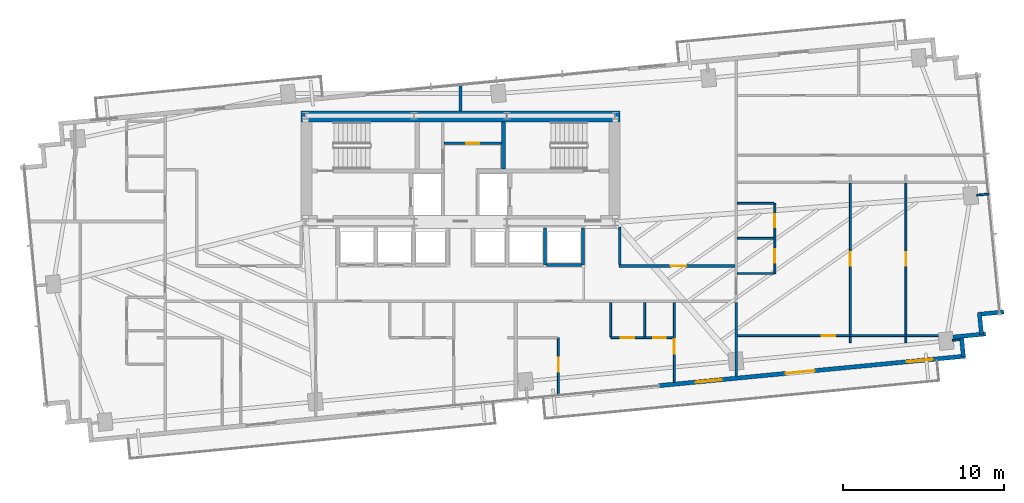
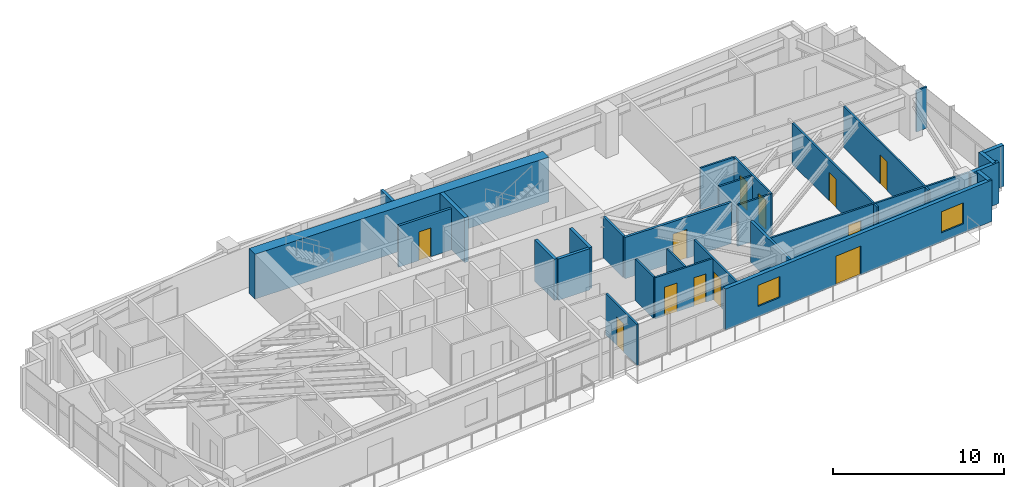
# One storey, part 23 of 27: 31 walls, 12 doors, 2 windows, 14 openings.
"""IFC4 building model written with IfcOpenShell, lengths in metres."""

from ifc_helpers import new_model, si_unit, direction, frame, frame_2d, origin, place, context, subcontext, project, spatial, rectangle, extrude, source, transform, mapped, material, layer, layer_set, type_object, type_shapes, element, fill, save


model = new_model("IFC4")

# Units and contexts
model_context = context("Model", 3, precision=1e-05, world=origin(), true_north=direction((0.0, 1.0)))
body_context = subcontext(model_context, "Body", "Model", "MODEL_VIEW")
ifc_project = project(units=[si_unit("LENGTHUNIT", "METRE"), si_unit("AREAUNIT", "SQUARE_METRE"), si_unit("VOLUMEUNIT", "CUBIC_METRE"), si_unit("PLANEANGLEUNIT", "RADIAN"), si_unit("MASSUNIT", "GRAM", prefix="KILO")], contexts=[model_context])

# Site, building, storey
site_placement = place(None, origin())
site = spatial("IfcSite", under=ifc_project, at=site_placement, CompositionType="ELEMENT")
building_placement = place(site_placement, origin())
building = spatial("IfcBuilding", under=site, at=building_placement, Name="Astriad Promenade Condominiums", CompositionType="ELEMENT")
storey_placement = place(building_placement, frame((0.0, 0.0, 90.60009765625)))
storey = spatial("IfcBuildingStorey", under=building, at=storey_placement, Name="L25", CompositionType="ELEMENT", Elevation=90.60009765625)

# Walls
ifc_material_1 = material(Name="Concrete C60/75", Category="concrete")
ifc_layer_1 = layer(ifc_material_1, 0.699951171875)
ifc_layer_set_1 = layer_set([ifc_layer_1], Name="Concrete C60/75")
wall_type_1 = type_object("IfcWallType", Name="CW-SHEAR-700", PredefinedType="SHEAR", material=ifc_layer_set_1)
wall_1_placement = place(storey_placement, frame((26.10009765625, 23.949951171875, 0.0), z_axis=(0.0, 0.0, 1.0), x_axis=(1.0, 0.0, 0.0)))
element("IfcWall", 1, at=wall_1_placement, inside=storey, type_object=wall_type_1, Name="CW-CORE-N-L25", PredefinedType="SHEAR", context=body_context, shape_type="SweptSolid", body=[
    extrude(rectangle(XDim=19.7998046875, YDim=0.699951171875, at=frame_2d((9.89990234375, 0.0))), origin(), (0.0, 0.0, 1.0), 3.199951171875),
])
ifc_material_2 = material(Name="Concrete C50/60", Category="concrete")
ifc_layer_2 = layer(ifc_material_2, 0.25)
ifc_layer_set_2 = layer_set([ifc_layer_2], Name="Concrete C50/60")
wall_type_2 = type_object("IfcWallType", Name="WALL-CORE-INT-250", PredefinedType="SOLIDWALL", material=ifc_layer_set_2)
wall_2_placement = place(storey_placement, frame((38.675048828125, 20.701904296875, 0.0), z_axis=(0.0, 0.0, 1.0), x_axis=(0.0, 1.0, 0.0)))
element("IfcWall", 2, at=wall_2_placement, inside=storey, type_object=wall_type_2, Name="CW-ST2-W-L25", PredefinedType="SOLIDWALL", context=body_context, shape_type="SweptSolid", body=[
    extrude(rectangle(XDim=2.89599609375, YDim=0.25, at=frame_2d((1.447998046875, 0.0))), origin(), (0.0, 0.0, 1.0), 3.199951171875),
])

# Wall, opening, door
ifc_material_3 = material(Name="Fire-Rated Gypsum Partition")
ifc_layer_3 = layer(ifc_material_3, 0.159912109375)
ifc_layer_set_3 = layer_set([ifc_layer_3], Name="Fire-Rated Gypsum Partition")
wall_type_3 = type_object("IfcWallType", Name="WALL-CORR-160", PredefinedType="PARTITIONING", material=ifc_layer_set_3)
wall_3_placement = place(storey_placement, frame((34.98193359375, 22.300048828125, 0.0), z_axis=(0.0, 0.0, 1.0), x_axis=(1.0, 0.0, 0.0)))
wall_3 = element("IfcWall", 3, at=wall_3_placement, inside=storey, type_object=wall_type_3, Name="CW-AUX-N-L25", PredefinedType="PARTITIONING", context=body_context, shape_type="SweptSolid", body=[
    extrude(rectangle(XDim=3.566162109375, YDim=0.159912109375, at=frame_2d((1.783203125, 0.0))), origin(), (0.0, 0.0, 1.0), 2.93994140625),
])
opening_1_placement = place(wall_3_placement, frame((1.3779296875, 0.0, 0.0)))
opening_1 = element("IfcOpeningElement", 4, at=opening_1_placement, cuts=wall_3, Name="Opening FD60-SV-080", PredefinedType="OPENING", context=body_context, shape_type="SweptSolid", body=[
    extrude(rectangle(XDim=0.800048828125, YDim=2.050048828125, at=frame_2d((0.39990234375, 1.02490234375))), frame((0.0, 0.08984375, 0.0), z_axis=(0.0, -1.0, 0.0), x_axis=(1.0, 0.0, 0.0)), (0.0, 0.0, 1.0), 0.179931640625),
])
ifc_material_4 = material(Name="Fire-Rated Riser Closet Door")
door_type_1 = type_object("IfcDoorType", Name="FD60-SV-080", OperationType="NOTDEFINED", PredefinedType="DOOR", material=ifc_material_4)
shared_shape_1 = source(origin(), body_context, "Body", "SweptSolid", [
    extrude(rectangle(XDim=0.800048828125, YDim=2.050048828125, at=frame_2d((0.39990234375, 1.02490234375))), frame((0.0, 0.02490234375, 0.0), z_axis=(0.0, -1.0, 0.0), x_axis=(1.0, 0.0, 0.0)), (0.0, 0.0, 1.0), 0.050048828125),
])
type_shapes(door_type_1, [shared_shape_1])
door_1_placement = place(opening_1_placement, origin())
door_1 = element("IfcDoor", 5, at=door_1_placement, inside=storey, type_object=door_type_1, Name="D-AUX2-L25", OperationType="SINGLE_SWING_LEFT", OverallHeight=2.050048828125, OverallWidth=0.800048828125, PredefinedType="DOOR", context=body_context, shape_type="MappedRepresentation", body=[
    mapped(shared_shape_1, transform((0.0, 0.0, 0.0), scale=1.0)),
])
fill(opening_1, door_1)

# Wall
wall_4_placement = place(storey_placement, frame((53.10009765625, 7.85546875, 0.0), z_axis=(0.0, 0.0, 1.0), x_axis=(0.0, 1.0, 0.0)))
element("IfcWall", 6, at=wall_4_placement, inside=storey, type_object=wall_type_3, Name="PT-COR-E-L25", PredefinedType="PARTITIONING", context=body_context, shape_type="SweptSolid", body=[
    extrude(rectangle(XDim=4.552490234375, YDim=0.159912109375, at=frame_2d((2.2763671875, 0.0))), origin(), (0.0, 0.0, 1.0), 2.93994140625),
])

# Wall, opening, door
wall_5_placement = place(storey_placement, frame((45.840087890625, 14.679931640625, 0.0), z_axis=(0.0, 0.0, 1.0), x_axis=(1.0, 0.0, 0.0)))
wall_5 = element("IfcWall", 7, at=wall_5_placement, inside=storey, type_object=wall_type_3, Name="PT-FLK-NE-L25", PredefinedType="PARTITIONING", context=body_context, shape_type="SweptSolid", body=[
    extrude(rectangle(XDim=7.177978515625, YDim=0.159912109375, at=frame_2d((3.5888671875, 0.0))), origin(), (0.0, 0.0, 1.0), 2.93994140625),
])
opening_2_placement = place(wall_5_placement, frame((3.215087890625, 0.0, 0.0)))
opening_2 = element("IfcOpeningElement", 8, at=opening_2_placement, cuts=wall_5, Name="Opening FD60-APT-095", PredefinedType="OPENING", context=body_context, shape_type="SweptSolid", body=[
    extrude(rectangle(XDim=0.949951171875, YDim=2.06005859375, at=frame_2d((0.47509765625, 1.030029296875))), frame((0.0, 0.08984375, 0.0), z_axis=(0.0, -1.0, 0.0), x_axis=(1.0, 0.0, 0.0)), (0.0, 0.0, 1.0), 0.179931640625),
])
ifc_material_5 = material(Name="Solid-Core Acoustic Timber Residence Entry Door", Category="wood")
door_type_2 = type_object("IfcDoorType", Name="FD60-APT-095", OperationType="NOTDEFINED", PredefinedType="DOOR", material=ifc_material_5)
shared_shape_2 = source(origin(), body_context, "Body", "SweptSolid", [
    extrude(rectangle(XDim=0.949951171875, YDim=2.06005859375, at=frame_2d((0.47509765625, 1.030029296875))), frame((0.0, 0.02490234375, 0.0), z_axis=(0.0, -1.0, 0.0), x_axis=(1.0, 0.0, 0.0)), (0.0, 0.0, 1.0), 0.050048828125),
])
type_shapes(door_type_2, [shared_shape_2])
door_2_placement = place(opening_2_placement, origin())
door_2 = element("IfcDoor", 9, at=door_2_placement, inside=storey, type_object=door_type_2, Name="D-NEA-L25", OperationType="SINGLE_SWING_LEFT", OverallHeight=2.06005859375, OverallWidth=0.949951171875, PredefinedType="DOOR", context=body_context, shape_type="MappedRepresentation", body=[
    mapped(shared_shape_2, transform((0.0, 0.0, 0.0), scale=1.0)),
])
fill(opening_2, door_2)

# Walls
wall_6_placement = place(storey_placement, frame((45.8798828125, 14.761962890625, 0.0), z_axis=(0.0, 0.0, 1.0), x_axis=(0.0, 1.0, 0.0)))
element("IfcWall", 10, at=wall_6_placement, inside=storey, type_object=wall_type_3, Name="PT-ESPUR-E-L25", PredefinedType="PARTITIONING", context=body_context, shape_type="SweptSolid", body=[
    extrude(rectangle(XDim=2.3359375, YDim=0.159912109375, at=frame_2d((1.16796875, 0.0))), origin(), (0.0, 0.0, 1.0), 2.93994140625),
])
ifc_material_6 = material(Name="Acoustic Double-Stud Gypsum Partition")
ifc_layer_4 = layer(ifc_material_6, 0.199951171875)
ifc_layer_set_4 = layer_set([ifc_layer_4], Name="Acoustic Double-Stud Gypsum Partition")
wall_type_4 = type_object("IfcWallType", Name="WALL-DEMISING-200", PredefinedType="PARTITIONING", material=ifc_layer_set_4)
wall_7_placement = place(storey_placement, frame((36.0, 24.302001953125, 0.0), z_axis=(0.0, 0.0, 1.0), x_axis=(0.0, 1.0, 0.0)))
element("IfcWall", 11, at=wall_7_placement, inside=storey, type_object=wall_type_4, Name="PT-NC-MID-L25", PredefinedType="PARTITIONING", context=body_context, shape_type="SweptSolid", body=[
    extrude(rectangle(XDim=1.65576171875, YDim=0.199951171875, at=frame_2d((0.827880859375, 0.0))), origin(), (0.0, 0.0, 1.0), 2.93994140625),
])
ifc_material_7 = material(Name="Precast concrete C50/60", Category="concrete")
ifc_layer_5 = layer(ifc_material_7, 0.260009765625)
ifc_layer_set_5 = layer_set([ifc_layer_5], Name="Precast concrete C50/60")
wall_type_5 = type_object("IfcWallType", Name="WALL-EXT-TWR-260", PredefinedType="STANDARD", material=ifc_layer_set_5)
for number, where, z_axis, x_axis, name in (
    (12, (69.698486328125, 11.83251953125, 0.0), (0.0, 0.0, 1.0), (-0.99540614245, -0.095742423056, 0.0), "W-SER-L25-14"),
    (13, (68.18310546875, 11.817138671875, 0.0), (0.0, 0.0, 1.0), (0.095915846097, -0.995389446633, 0.0), "W-SER-L25-15"),
):
    element("IfcWall", number, at=place(storey_placement, frame(where, z_axis=z_axis, x_axis=x_axis)), inside=storey, type_object=wall_type_5, Name=name, PredefinedType="STANDARD", context=body_context, shape_type="SweptSolid", body=[
        extrude(rectangle(XDim=1.394775390625, YDim=0.260009765625, at=frame_2d((0.697265625, 0.0))), origin(), (0.0, 0.0, 1.0), 2.93994140625),
    ])
wall_8_placement = place(storey_placement, frame((68.57421875, 10.468505859375, 0.0), z_axis=(0.0, 0.0, 1.0), x_axis=(-0.99539865733, -0.095820211783, 0.0)))
element("IfcWall", 14, at=wall_8_placement, inside=storey, type_object=wall_type_5, Name="W-SER-L25-16", PredefinedType="STANDARD", context=body_context, shape_type="SweptSolid", body=[
    extrude(rectangle(XDim=2.028076171875, YDim=0.260009765625, at=frame_2d((1.01416015625, 0.0))), origin(), (0.0, 0.0, 1.0), 2.93994140625),
])
wall_9_placement = place(storey_placement, frame((67.082275390625, 10.209228515625, 0.0), z_axis=(0.0, 0.0, 1.0), x_axis=(0.09576095695, -0.995404359607, 0.0)))
element("IfcWall", 15, at=wall_9_placement, inside=storey, type_object=wall_type_5, Name="W-SER-L25-17", PredefinedType="STANDARD", context=body_context, shape_type="SweptSolid", body=[
    extrude(rectangle(XDim=1.14990234375, YDim=0.260009765625, at=frame_2d((0.574951171875, 0.0))), origin(), (0.0, 0.0, 1.0), 2.93994140625),
])

# Wall, openings, door, windows
wall_10_placement = place(storey_placement, frame((67.3203125, 9.092041015625, 0.0), z_axis=(0.0, 0.0, 1.0), x_axis=(-0.995396521236, -0.095842399342, 0.0)))
wall_10 = element("IfcWall", 16, at=wall_10_placement, inside=storey, type_object=wall_type_5, Name="W-EXT-L25-S1", PredefinedType="STANDARD", context=body_context, shape_type="SweptSolid", body=[
    extrude(rectangle(XDim=19.10986328125, YDim=0.260009765625, at=frame_2d((9.554931640625, 0.0))), origin(), (0.0, 0.0, 1.0), 2.93994140625),
])
opening_3_placement = place(wall_10_placement, frame((9.406005859375, 0.0, 0.0)))
opening_3 = element("IfcOpeningElement", 17, at=opening_3_placement, cuts=wall_10, Name="Opening BD-1822-SLD", PredefinedType="OPENING", context=body_context, shape_type="SweptSolid", body=[
    extrude(rectangle(XDim=1.800048828125, YDim=2.06005859375, at=frame_2d((0.89990234375, 1.030029296875))), frame((0.0, 0.139892578125, 0.0), z_axis=(0.0, -1.0, 0.0), x_axis=(1.0, 0.0, 0.0)), (0.0, 0.0, 1.0), 0.280029296875),
])
opening_4_placement = place(wall_10_placement, frame((2.050048828125, 0.0, 0.64990234375)))
opening_4 = element("IfcOpeningElement", 18, at=opening_4_placement, cuts=wall_10, Name="Opening WIN-TWR-1620", PredefinedType="OPENING", context=body_context, shape_type="SweptSolid", body=[
    extrude(rectangle(XDim=1.60009765625, YDim=1.5, at=frame_2d((0.800048828125, 0.75))), frame((0.0, 0.139892578125, 0.0), z_axis=(0.0, -1.0, 0.0), x_axis=(1.0, 0.0, 0.0)), (0.0, 0.0, 1.0), 0.280029296875),
])
opening_5_placement = place(wall_10_placement, frame((15.197998046875, 0.0, 0.75)))
opening_5 = element("IfcOpeningElement", 19, at=opening_5_placement, cuts=wall_10, Name="Opening WIN-TWR-1620", PredefinedType="OPENING", context=body_context, shape_type="SweptSolid", body=[
    extrude(rectangle(XDim=1.60009765625, YDim=1.5, at=frame_2d((0.800048828125, 0.75))), frame((0.0, 0.139892578125, 0.0), z_axis=(0.0, -1.0, 0.0), x_axis=(1.0, 0.0, 0.0)), (0.0, 0.0, 1.0), 0.280029296875),
])
ifc_material_8 = material(Name="Thermally Broken Aluminium Sliding Balcony Door", Category="aluminium")
door_type_3 = type_object("IfcDoorType", Name="BD-1822-SLD", OperationType="NOTDEFINED", PredefinedType="DOOR", material=ifc_material_8)
shared_shape_3 = source(origin(), body_context, "Body", "SweptSolid", [
    extrude(rectangle(XDim=1.800048828125, YDim=2.06005859375, at=frame_2d((0.89990234375, 1.030029296875))), frame((0.0, 0.02490234375, 0.0), z_axis=(0.0, -1.0, 0.0), x_axis=(1.0, 0.0, 0.0)), (0.0, 0.0, 1.0), 0.050048828125),
])
type_shapes(door_type_3, [shared_shape_3])
door_3_placement = place(opening_3_placement, origin())
door_3 = element("IfcDoor", 20, at=door_3_placement, inside=storey, type_object=door_type_3, Name="BD-L25-SE", OperationType="SLIDING_TO_RIGHT", OverallHeight=2.06005859375, OverallWidth=1.800048828125, PredefinedType="DOOR", context=body_context, shape_type="MappedRepresentation", body=[
    mapped(shared_shape_3, transform((0.0, 0.0, 0.0), scale=1.0)),
])
fill(opening_3, door_3)
ifc_material_9 = material(Name="Dark Tinted Triple-Glazed Aluminium Window", Category="aluminium")
window_type = type_object("IfcWindowType", Name="WIN-TWR-1620", PartitioningType="SINGLE_PANEL", PredefinedType="WINDOW", material=ifc_material_9)
shared_shape_4 = source(origin(), body_context, "Body", "SweptSolid", [
    extrude(rectangle(XDim=1.60009765625, YDim=1.5, at=frame_2d((0.800048828125, 0.75))), frame((0.0, 0.030029296875, 0.0), z_axis=(0.0, -1.0, 0.0), x_axis=(1.0, 0.0, 0.0)), (0.0, 0.0, 1.0), 0.06005859375),
])
type_shapes(window_type, [shared_shape_4])
window_1_placement = place(opening_4_placement, origin())
window_1 = element("IfcWindow", 21, at=window_1_placement, inside=storey, type_object=window_type, Name="WIN-L25-SE", OverallHeight=1.5, OverallWidth=1.60009765625, PartitioningType="SINGLE_PANEL", PredefinedType="WINDOW", context=body_context, shape_type="MappedRepresentation", body=[
    mapped(shared_shape_4, transform((0.0, 0.0, 0.0), scale=1.0)),
])
fill(opening_4, window_1)
window_2_placement = place(opening_5_placement, origin())
window_2 = element("IfcWindow", 22, at=window_2_placement, inside=storey, type_object=window_type, Name="WIN-DW-L25-S2-BD1", OverallHeight=1.5, OverallWidth=1.60009765625, PartitioningType="SINGLE_PANEL", PredefinedType="WINDOW", context=body_context, shape_type="MappedRepresentation", body=[
    mapped(shared_shape_4, transform((0.0, 0.0, 0.0), scale=1.0)),
])
fill(opening_5, window_2)

# Wall, opening, door
ifc_material_10 = material(Name="Acoustic Metal-Stud Gypsum Partition")
ifc_layer_6 = layer(ifc_material_10, 0.1201171875)
ifc_layer_set_6 = layer_set([ifc_layer_6], Name="Acoustic Metal-Stud Gypsum Partition")
wall_type_6 = type_object("IfcWallType", Name="WALL-PART-120", PredefinedType="PARTITIONING", material=ifc_layer_set_6)
wall_11_placement = place(storey_placement, frame((49.27001953125, 7.486572265625, 0.0), z_axis=(0.0, 0.0, 1.0), x_axis=(0.0, 1.0, 0.0)))
wall_11 = element("IfcWall", 23, at=wall_11_placement, inside=storey, type_object=wall_type_6, Name="PT-L25-S2-BD1", PredefinedType="PARTITIONING", context=body_context, shape_type="SweptSolid", body=[
    extrude(rectangle(XDim=4.92138671875, YDim=0.1201171875, at=frame_2d((2.460693359375, 0.0))), origin(), (0.0, 0.0, 1.0), 2.93994140625),
])
opening_6_placement = place(wall_11_placement, frame((1.75244140625, 0.0, 0.0)))
opening_6 = element("IfcOpeningElement", 24, at=opening_6_placement, cuts=wall_11, Name="Opening D-INT-090", PredefinedType="OPENING", context=body_context, shape_type="SweptSolid", body=[
    extrude(rectangle(XDim=0.89990234375, YDim=2.050048828125, at=frame_2d((0.449951171875, 1.02490234375))), frame((0.0, 0.070068359375, 0.0), z_axis=(0.0, -1.0, 0.0), x_axis=(1.0, 0.0, 0.0)), (0.0, 0.0, 1.0), 0.14013671875),
])
ifc_material_11 = material(Name="Painted Solid-Core Timber Bedroom Door", Category="wood")
door_type_4 = type_object("IfcDoorType", Name="D-INT-090", OperationType="NOTDEFINED", PredefinedType="DOOR", material=ifc_material_11)
shared_shape_5 = source(origin(), body_context, "Body", "SweptSolid", [
    extrude(rectangle(XDim=0.89990234375, YDim=2.050048828125, at=frame_2d((0.449951171875, 1.02490234375))), frame((0.0, 0.02490234375, 0.0), z_axis=(0.0, -1.0, 0.0), x_axis=(1.0, 0.0, 0.0)), (0.0, 0.0, 1.0), 0.050048828125),
])
type_shapes(door_type_4, [shared_shape_5])
door_4_placement = place(opening_6_placement, origin())
door_4 = element("IfcDoor", 25, at=door_4_placement, inside=storey, type_object=door_type_4, Name="D-BD1-L25-S2", OperationType="SINGLE_SWING_LEFT", OverallHeight=2.050048828125, OverallWidth=0.89990234375, PredefinedType="DOOR", context=body_context, shape_type="MappedRepresentation", body=[
    mapped(shared_shape_5, transform((0.0, 0.0, 0.0), scale=1.0)),
])
fill(opening_6, door_4)

# Wall, openings, doors
wall_12_placement = place(storey_placement, frame((45.320068359375, 10.239990234375, 0.0), z_axis=(0.0, 0.0, 1.0), x_axis=(1.0, 0.0, 0.0)))
wall_12 = element("IfcWall", 26, at=wall_12_placement, inside=storey, type_object=wall_type_6, Name="PT-L25-S2-PS", PredefinedType="PARTITIONING", context=body_context, shape_type="SweptSolid", body=[
    extrude(rectangle(XDim=3.887939453125, YDim=0.1201171875, at=frame_2d((1.94384765625, 0.0))), origin(), (0.0, 0.0, 1.0), 2.93994140625),
])
opening_7_placement = place(wall_12_placement, frame((0.625, 0.0, 0.0)))
opening_7 = element("IfcOpeningElement", 27, at=opening_7_placement, cuts=wall_12, Name="Opening D-INT-085", PredefinedType="OPENING", context=body_context, shape_type="SweptSolid", body=[
    extrude(rectangle(XDim=0.85009765625, YDim=2.050048828125, at=frame_2d((0.425048828125, 1.02490234375))), frame((0.0, 0.070068359375, 0.0), z_axis=(0.0, -1.0, 0.0), x_axis=(1.0, 0.0, 0.0)), (0.0, 0.0, 1.0), 0.14013671875),
])
opening_8_placement = place(wall_12_placement, frame((2.625, 0.0, 0.0)))
opening_8 = element("IfcOpeningElement", 28, at=opening_8_placement, cuts=wall_12, Name="Opening D-WET-080", PredefinedType="OPENING", context=body_context, shape_type="SweptSolid", body=[
    extrude(rectangle(XDim=0.800048828125, YDim=2.02001953125, at=frame_2d((0.39990234375, 1.010009765625))), frame((0.0, 0.070068359375, 0.0), z_axis=(0.0, -1.0, 0.0), x_axis=(1.0, 0.0, 0.0)), (0.0, 0.0, 1.0), 0.14013671875),
])
ifc_material_12 = material(Name="Moisture-Resistant Timber Bathroom Door", Category="wood")
door_type_5 = type_object("IfcDoorType", Name="D-WET-080", OperationType="NOTDEFINED", PredefinedType="DOOR", material=ifc_material_12)
shared_shape_6 = source(origin(), body_context, "Body", "SweptSolid", [
    extrude(rectangle(XDim=0.800048828125, YDim=2.02001953125, at=frame_2d((0.39990234375, 1.010009765625))), frame((0.0, 0.02490234375, 0.0), z_axis=(0.0, -1.0, 0.0), x_axis=(1.0, 0.0, 0.0)), (0.0, 0.0, 1.0), 0.050048828125),
])
type_shapes(door_type_5, [shared_shape_6])
door_5_placement = place(opening_8_placement, origin())
door_5 = element("IfcDoor", 29, at=door_5_placement, inside=storey, type_object=door_type_5, Name="D-BTH-L25-S2", OperationType="SINGLE_SWING_LEFT", OverallHeight=2.02001953125, OverallWidth=0.800048828125, PredefinedType="DOOR", context=body_context, shape_type="MappedRepresentation", body=[
    mapped(shared_shape_6, transform((0.0, 0.0, 0.0), scale=1.0)),
])
fill(opening_8, door_5)
ifc_material_13 = material(Name="Painted Solid-Core Timber Room Door", Category="wood")
door_type_6 = type_object("IfcDoorType", Name="D-INT-085", OperationType="NOTDEFINED", PredefinedType="DOOR", material=ifc_material_13)
shared_shape_7 = source(origin(), body_context, "Body", "SweptSolid", [
    extrude(rectangle(XDim=0.85009765625, YDim=2.050048828125, at=frame_2d((0.425048828125, 1.02490234375))), frame((0.0, 0.02490234375, 0.0), z_axis=(0.0, -1.0, 0.0), x_axis=(1.0, 0.0, 0.0)), (0.0, 0.0, 1.0), 0.050048828125),
])
type_shapes(door_type_6, [shared_shape_7])
door_6_placement = place(opening_7_placement, origin())
door_6 = element("IfcDoor", 30, at=door_6_placement, inside=storey, type_object=door_type_6, Name="D-KIT-L25-S2", OperationType="SINGLE_SWING_RIGHT", OverallHeight=2.050048828125, OverallWidth=0.85009765625, PredefinedType="DOOR", context=body_context, shape_type="MappedRepresentation", body=[
    mapped(shared_shape_7, transform((0.0, 0.0, 0.0), scale=1.0)),
])
fill(opening_7, door_6)

# Walls
for number, where, z_axis, x_axis, name in (
    (31, (47.419921875, 10.302001953125, 0.0), (0.0, 0.0, 1.0), (0.0, 1.0, 0.0), "PT-L25-S2-PBK"),
    (32, (45.320068359375, 10.302001953125, 0.0), (0.0, 0.0, 1.0), (0.0, 1.0, 0.0), "PT-L25-S2-PKW"),
):
    element("IfcWall", number, at=place(storey_placement, frame(where, z_axis=z_axis, x_axis=x_axis)), inside=storey, type_object=wall_type_6, Name=name, PredefinedType="PARTITIONING", context=body_context, shape_type="SweptSolid", body=[
        extrude(rectangle(XDim=2.10595703125, YDim=0.1201171875, at=frame_2d((1.052978515625, 0.0))), origin(), (0.0, 0.0, 1.0), 2.93994140625),
    ])

# Wall, opening, door
wall_13_placement = place(storey_placement, frame((42.077880859375, 6.611083984375, 0.0), z_axis=(0.0, 0.0, 1.0), x_axis=(0.0, 1.0, 0.0)))
wall_13 = element("IfcWall", 33, at=wall_13_placement, inside=storey, type_object=wall_type_6, Name="PT-L25-S2-EXV", PredefinedType="PARTITIONING", context=body_context, shape_type="SweptSolid", body=[
    extrude(rectangle(XDim=3.62890625, YDim=0.1201171875, at=frame_2d((1.814453125, 0.0))), origin(), (0.0, 0.0, 1.0), 2.93994140625),
])
opening_9_placement = place(wall_13_placement, frame((1.52685546875, 0.0, 0.0)))
opening_9 = element("IfcOpeningElement", 34, at=opening_9_placement, cuts=wall_13, Name="Opening D-INT-085", PredefinedType="OPENING", context=body_context, shape_type="SweptSolid", body=[
    extrude(rectangle(XDim=0.85009765625, YDim=2.050048828125, at=frame_2d((0.425048828125, 1.02490234375))), frame((0.0, 0.070068359375, 0.0), z_axis=(0.0, -1.0, 0.0), x_axis=(1.0, 0.0, 0.0)), (0.0, 0.0, 1.0), 0.14013671875),
])
door_7_placement = place(opening_9_placement, origin())
door_7 = element("IfcDoor", 35, at=door_7_placement, inside=storey, type_object=door_type_6, Name="D-EX-L25-S2", OperationType="SINGLE_SWING_LEFT", OverallHeight=2.050048828125, OverallWidth=0.85009765625, PredefinedType="DOOR", context=body_context, shape_type="MappedRepresentation", body=[
    mapped(shared_shape_7, transform((0.0, 0.0, 0.0), scale=1.0)),
])
fill(opening_9, door_7)

# Wall, openings, doors
wall_14_placement = place(storey_placement, frame((55.5, 14.217041015625, 0.0), z_axis=(0.0, 0.0, 1.0), x_axis=(0.0, 1.0, 0.0)))
wall_14 = element("IfcWall", 36, at=wall_14_placement, inside=storey, type_object=wall_type_6, Name="PT-L25-E1-PV", PredefinedType="PARTITIONING", context=body_context, shape_type="SweptSolid", body=[
    extrude(rectangle(XDim=4.349853515625, YDim=0.1201171875, at=frame_2d((2.1748046875, 0.0))), origin(), (0.0, 0.0, 1.0), 2.93994140625),
])
opening_10_placement = place(wall_14_placement, frame((0.6630859375, 0.0, 0.0)))
opening_10 = element("IfcOpeningElement", 37, at=opening_10_placement, cuts=wall_14, Name="Opening D-INT-085", PredefinedType="OPENING", context=body_context, shape_type="SweptSolid", body=[
    extrude(rectangle(XDim=0.85009765625, YDim=2.050048828125, at=frame_2d((0.425048828125, 1.02490234375))), frame((0.0, 0.070068359375, 0.0), z_axis=(0.0, -1.0, 0.0), x_axis=(1.0, 0.0, 0.0)), (0.0, 0.0, 1.0), 0.14013671875),
])
opening_11_placement = place(wall_14_placement, frame((2.863037109375, 0.0, 0.0)))
opening_11 = element("IfcOpeningElement", 38, at=opening_11_placement, cuts=wall_14, Name="Opening D-WET-080", PredefinedType="OPENING", context=body_context, shape_type="SweptSolid", body=[
    extrude(rectangle(XDim=0.800048828125, YDim=2.02001953125, at=frame_2d((0.39990234375, 1.010009765625))), frame((0.0, 0.070068359375, 0.0), z_axis=(0.0, -1.0, 0.0), x_axis=(1.0, 0.0, 0.0)), (0.0, 0.0, 1.0), 0.14013671875),
])
door_8_placement = place(opening_11_placement, origin())
door_8 = element("IfcDoor", 39, at=door_8_placement, inside=storey, type_object=door_type_5, Name="D-BTH-L25-E1", OperationType="SINGLE_SWING_RIGHT", OverallHeight=2.02001953125, OverallWidth=0.800048828125, PredefinedType="DOOR", context=body_context, shape_type="MappedRepresentation", body=[
    mapped(shared_shape_6, transform((0.0, 0.0, 0.0), scale=1.0)),
])
fill(opening_11, door_8)
door_9_placement = place(opening_10_placement, origin())
door_9 = element("IfcDoor", 40, at=door_9_placement, inside=storey, type_object=door_type_6, Name="D-KIT-L25-E1", OperationType="SINGLE_SWING_LEFT", OverallHeight=2.050048828125, OverallWidth=0.85009765625, PredefinedType="DOOR", context=body_context, shape_type="MappedRepresentation", body=[
    mapped(shared_shape_7, transform((0.0, 0.0, 0.0), scale=1.0)),
])
fill(opening_10, door_9)

# Walls
for number, where, z_axis, x_axis, name in (
    (41, (53.181884765625, 16.39208984375, 0.0), (0.0, 0.0, 1.0), (1.0, 0.0, 0.0), "PT-L25-E1-PM"),
    (42, (53.181884765625, 14.217041015625, 0.0), (0.0, 0.0, 1.0), (1.0, 0.0, 0.0), "PT-L25-E1-PS"),
    (43, (53.181884765625, 18.56689453125, 0.0), (0.0, 0.0, 1.0), (1.0, 0.0, 0.0), "PT-L25-E1-PN"),
):
    element("IfcWall", number, at=place(storey_placement, frame(where, z_axis=z_axis, x_axis=x_axis)), inside=storey, type_object=wall_type_6, Name=name, PredefinedType="PARTITIONING", context=body_context, shape_type="SweptSolid", body=[
        extrude(rectangle(XDim=2.256103515625, YDim=0.1201171875, at=frame_2d((1.1279296875, 0.0))), origin(), (0.0, 0.0, 1.0), 2.93994140625),
    ])

# Wall, opening, door
wall_15_placement = place(storey_placement, frame((53.181884765625, 10.363037109375, 0.0), z_axis=(0.0, 0.0, 1.0), x_axis=(1.0, 0.0, 0.0)))
wall_15 = element("IfcWall", 44, at=wall_15_placement, inside=storey, type_object=wall_type_6, Name="PT-L25-E1-WDS2", PredefinedType="PARTITIONING", context=body_context, shape_type="SweptSolid", body=[
    extrude(rectangle(XDim=13.364990234375, YDim=0.1201171875, at=frame_2d((6.6826171875, 0.0))), origin(), (0.0, 0.0, 1.0), 2.93994140625),
])
opening_12_placement = place(wall_15_placement, frame((5.222900390625, 0.0, 0.0)))
opening_12 = element("IfcOpeningElement", 45, at=opening_12_placement, cuts=wall_15, Name="Opening D-INT-085", PredefinedType="OPENING", context=body_context, shape_type="SweptSolid", body=[
    extrude(rectangle(XDim=0.85009765625, YDim=2.050048828125, at=frame_2d((0.425048828125, 1.02490234375))), frame((0.0, 0.070068359375, 0.0), z_axis=(0.0, -1.0, 0.0), x_axis=(1.0, 0.0, 0.0)), (0.0, 0.0, 1.0), 0.14013671875),
])
door_10_placement = place(opening_12_placement, origin())
door_10 = element("IfcDoor", 46, at=door_10_placement, inside=storey, type_object=door_type_6, Name="D-WDS2-L25-E1", OperationType="SINGLE_SWING_RIGHT", OverallHeight=2.050048828125, OverallWidth=0.85009765625, PredefinedType="DOOR", context=body_context, shape_type="MappedRepresentation", body=[
    mapped(shared_shape_7, transform((0.0, 0.0, 0.0), scale=1.0)),
])
fill(opening_12, door_10)

# Wall
wall_16_placement = place(storey_placement, frame((63.62890625, 9.923095703125, 0.0), z_axis=(0.0, 0.0, 1.0), x_axis=(0.0, 1.0, 0.0)))
element("IfcWall", 47, at=wall_16_placement, inside=storey, type_object=wall_type_6, Name="PT-L25-E1-WDV4", PredefinedType="PARTITIONING", context=body_context, shape_type="SweptSolid", body=[
    extrude(rectangle(XDim=0.3779296875, YDim=0.1201171875, at=frame_2d((0.18896484375, 0.0))), origin(), (0.0, 0.0, 1.0), 2.93994140625),
])

# Wall, opening, door
wall_17_placement = place(storey_placement, frame((63.62890625, 10.425048828125, 0.0), z_axis=(0.0, 0.0, 1.0), x_axis=(0.0, 1.0, 0.0)))
wall_17 = element("IfcWall", 48, at=wall_17_placement, inside=storey, type_object=wall_type_6, Name="PT-L25-E1-WDV4-S2", PredefinedType="PARTITIONING", context=body_context, shape_type="SweptSolid", body=[
    extrude(rectangle(XDim=9.39501953125, YDim=0.1201171875, at=frame_2d((4.697509765625, 0.0))), origin(), (0.0, 0.0, 1.0), 2.93994140625),
])
opening_13_placement = place(wall_17_placement, frame((4.27197265625, 0.0, 0.0)))
opening_13 = element("IfcOpeningElement", 49, at=opening_13_placement, cuts=wall_17, Name="Opening D-INT-085", PredefinedType="OPENING", context=body_context, shape_type="SweptSolid", body=[
    extrude(rectangle(XDim=0.85009765625, YDim=2.050048828125, at=frame_2d((0.425048828125, 1.02490234375))), frame((0.0, 0.070068359375, 0.0), z_axis=(0.0, -1.0, 0.0), x_axis=(1.0, 0.0, 0.0)), (0.0, 0.0, 1.0), 0.14013671875),
])
door_11_placement = place(opening_13_placement, origin())
door_11 = element("IfcDoor", 50, at=door_11_placement, inside=storey, type_object=door_type_6, Name="D-WDV4-L25-E1", OperationType="SINGLE_SWING_RIGHT", OverallHeight=2.050048828125, OverallWidth=0.85009765625, PredefinedType="DOOR", context=body_context, shape_type="MappedRepresentation", body=[
    mapped(shared_shape_7, transform((0.0, 0.0, 0.0), scale=1.0)),
])
fill(opening_13, door_11)

# Wall
wall_18_placement = place(storey_placement, frame((60.179931640625, 9.923095703125, 0.0), z_axis=(0.0, 0.0, 1.0), x_axis=(0.0, 1.0, 0.0)))
element("IfcWall", 51, at=wall_18_placement, inside=storey, type_object=wall_type_6, Name="PT-L25-E1-WDV5", PredefinedType="PARTITIONING", context=body_context, shape_type="SweptSolid", body=[
    extrude(rectangle(XDim=0.3779296875, YDim=0.1201171875, at=frame_2d((0.18896484375, 0.0))), origin(), (0.0, 0.0, 1.0), 2.93994140625),
])

# Wall, opening, door
wall_19_placement = place(storey_placement, frame((60.179931640625, 10.425048828125, 0.0), z_axis=(0.0, 0.0, 1.0), x_axis=(0.0, 1.0, 0.0)))
wall_19 = element("IfcWall", 52, at=wall_19_placement, inside=storey, type_object=wall_type_6, Name="PT-L25-E1-WDV5-S2", PredefinedType="PARTITIONING", context=body_context, shape_type="SweptSolid", body=[
    extrude(rectangle(XDim=9.39501953125, YDim=0.1201171875, at=frame_2d((4.697509765625, 0.0))), origin(), (0.0, 0.0, 1.0), 2.93994140625),
])
opening_14_placement = place(wall_19_placement, frame((4.27197265625, 0.0, 0.0)))
opening_14 = element("IfcOpeningElement", 53, at=opening_14_placement, cuts=wall_19, Name="Opening D-INT-085", PredefinedType="OPENING", context=body_context, shape_type="SweptSolid", body=[
    extrude(rectangle(XDim=0.85009765625, YDim=2.050048828125, at=frame_2d((0.425048828125, 1.02490234375))), frame((0.0, 0.070068359375, 0.0), z_axis=(0.0, -1.0, 0.0), x_axis=(1.0, 0.0, 0.0)), (0.0, 0.0, 1.0), 0.14013671875),
])
door_12_placement = place(opening_14_placement, origin())
door_12 = element("IfcDoor", 54, at=door_12_placement, inside=storey, type_object=door_type_6, Name="D-WDV5-L25-E1", OperationType="SINGLE_SWING_LEFT", OverallHeight=2.050048828125, OverallWidth=0.85009765625, PredefinedType="DOOR", context=body_context, shape_type="MappedRepresentation", body=[
    mapped(shared_shape_7, transform((0.0, 0.0, 0.0), scale=1.0)),
])
fill(opening_14, door_12)

# Walls
wall_20_placement = place(storey_placement, frame((66.5029296875, 10.068115234375, 0.0), z_axis=(0.0, 0.0, 1.0), x_axis=(0.995389482415, 0.095915474751, 0.0)))
element("IfcWall", 55, at=wall_20_placement, inside=storey, type_object=wall_type_6, Name="PT-PIL-L25-PC05-12", PredefinedType="PARTITIONING", context=body_context, shape_type="SweptSolid", body=[
    extrude(rectangle(XDim=0.458251953125, YDim=0.1201171875, at=frame_2d((0.22900390625, 0.0))), origin(), (0.0, 0.0, 1.0), 2.93994140625),
])
wall_21_placement = place(storey_placement, frame((68.026611328125, 19.07568359375, 0.0), z_axis=(0.0, 0.0, 1.0), x_axis=(0.995377786728, 0.096036772582, 0.0)))
element("IfcWall", 56, at=wall_21_placement, inside=storey, type_object=wall_type_6, Name="PT-PIL-L25-PC12-19", PredefinedType="PARTITIONING", context=body_context, shape_type="SweptSolid", body=[
    extrude(rectangle(XDim=0.760009765625, YDim=0.1201171875, at=frame_2d((0.3798828125, 0.0))), origin(), (0.0, 0.0, 1.0), 2.93994140625),
])
ifc_material_14 = material(Name="Gypsum Shaftliner Assembly")
ifc_layer_7 = layer(ifc_material_14, 0.199951171875)
ifc_layer_set_7 = layer_set([ifc_layer_7], Name="Gypsum Shaftliner Assembly")
wall_type_7 = type_object("IfcWallType", Name="WALL-SHAFT-200", PredefinedType="PARTITIONING", material=ifc_layer_set_7)
for number, where, z_axis, x_axis, name in (
    (57, (41.25, 14.75, 0.0), (0.0, 0.0, 1.0), (0.0, 1.0, 0.0), "PL-H-DIV-L25"),
    (58, (43.60009765625, 14.75, 0.0), (0.0, 0.0, 1.0), (0.0, 1.0, 0.0), "PL-E-OUT-L25"),
):
    element("IfcWall", number, at=place(storey_placement, frame(where, z_axis=z_axis, x_axis=x_axis)), inside=storey, type_object=wall_type_7, Name=name, PredefinedType="PARTITIONING", context=body_context, shape_type="SweptSolid", body=[
        extrude(rectangle(XDim=2.300048828125, YDim=0.199951171875, at=frame_2d((1.14990234375, 0.0))), origin(), (0.0, 0.0, 1.0), 2.93994140625),
    ])
wall_22_placement = place(storey_placement, frame((41.35205078125, 14.75, 0.0), z_axis=(0.0, 0.0, 1.0), x_axis=(1.0, 0.0, 0.0)))
element("IfcWall", 59, at=wall_22_placement, inside=storey, type_object=wall_type_7, Name="PL-H-FRT-L25-S2", PredefinedType="PARTITIONING", context=body_context, shape_type="SweptSolid", body=[
    extrude(rectangle(XDim=2.14599609375, YDim=0.199951171875, at=frame_2d((1.072998046875, 0.0))), origin(), (0.0, 0.0, 1.0), 2.93994140625),
])

save(model, "model.ifc")
